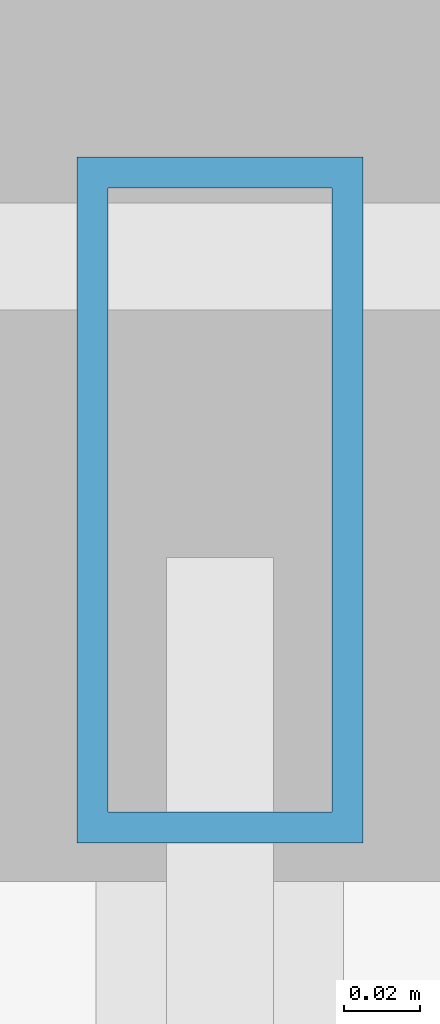
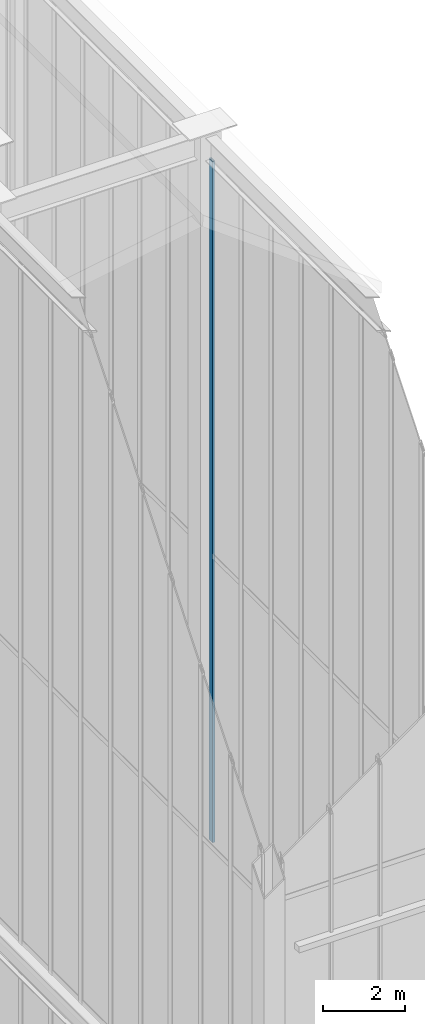
# One storey, part 84 of 135: 1 member, 1 element without a shape of its own.
"""IFC4 building model written with IfcOpenShell, lengths in metres."""

from ifc_helpers import new_model, si_unit, direction, frame, origin, origin_2d, place, context, subcontext, project, spatial, hollow_rectangle, extrude, source, transform, mapped, material, layer, layer_set, material_profile, profile_set, type_object, element, aggregate, save


model = new_model("IFC4")

# Units and contexts
model_context = context("Model", 3, precision=1e-05, world=origin(), true_north=direction((0.0, 1.0)))
body_context = subcontext(model_context, "Body", "Model", "MODEL_VIEW")
ifc_project = project(units=[si_unit("LENGTHUNIT", "METRE"), si_unit("AREAUNIT", "SQUARE_METRE"), si_unit("VOLUMEUNIT", "CUBIC_METRE"), si_unit("PLANEANGLEUNIT", "RADIAN"), si_unit("MASSUNIT", "GRAM", prefix="KILO")], contexts=[model_context])

# Site, building, storey
site_placement = place(None, origin())
site = spatial("IfcSite", under=ifc_project, at=site_placement, CompositionType="ELEMENT")
building_placement = place(site_placement, origin())
building = spatial("IfcBuilding", under=site, at=building_placement, Name="Giltprow Tower", CompositionType="ELEMENT")
storey_placement = place(building_placement, frame((0.0, 0.0, 352.699951171875)))
storey = spatial("IfcBuildingStorey", under=building, at=storey_placement, Name="L92", CompositionType="ELEMENT", Elevation=352.699951171875)

# Curtain wall, member
ifc_material = material(Name="Anodized bronze", Category="metal")
ifc_layer = layer(ifc_material, 0.179931640625, Name="Anodized bronze")
ifc_layer_set = layer_set([ifc_layer], Name="Anodized bronze")
curtain_wall_type = type_object("IfcCurtainWallType", Name="CW-CROWN-LANTERN", PredefinedType="NOTDEFINED", material=ifc_layer_set)
curtain_wall_placement = place(storey_placement, origin())
curtain_wall = element("IfcCurtainWall", 1, at=curtain_wall_placement, inside=storey, type_object=curtain_wall_type, Name="Crown East Upper Lantern Glazing 2", PredefinedType="NOTDEFINED")
ifc_material_profile = material_profile(ifc_material, hollow_rectangle(XDim=0.074951171875, YDim=0.179931640625, WallThickness=0.008056640625, at=origin_2d()), Name="RHS 180x75x8")
ifc_profile_set = profile_set([ifc_material_profile], Name="Anodized bronze")
member_type = type_object("IfcMemberType", Name="CW-MULLION-180x75", PredefinedType="MULLION", material=ifc_profile_set)
shared_shape = source(origin(), body_context, "Body", "SweptSolid", [
    extrude(hollow_rectangle(XDim=0.074951171875, YDim=0.179931640625, WallThickness=0.008056640625, at=origin_2d()), origin(), (0.0, 0.0, 1.0), 20.406005859375),
])
member_placement = place(storey_placement, frame((50.550048828125, 37.10009765625, 17.25), z_axis=(0.0, 0.0, 1.0), x_axis=(1.0, 0.0, 0.0)))
member = element("IfcMember", 2, at=member_placement, type_object=member_type, Name="Crown East Upper Lantern Glazing 2 Mullion 10", PredefinedType="MULLION", context=body_context, shape_type="MappedRepresentation", body=[
    mapped(shared_shape, transform((0.0, 0.0, 0.0), x_axis=(1.0, 0.0, 0.0), y_axis=(0.0, 1.0, 0.0), z_axis=(0.0, 0.0, 1.0), scale=1.0)),
])
aggregate(curtain_wall, [member])

save(model, "model.ifc")
